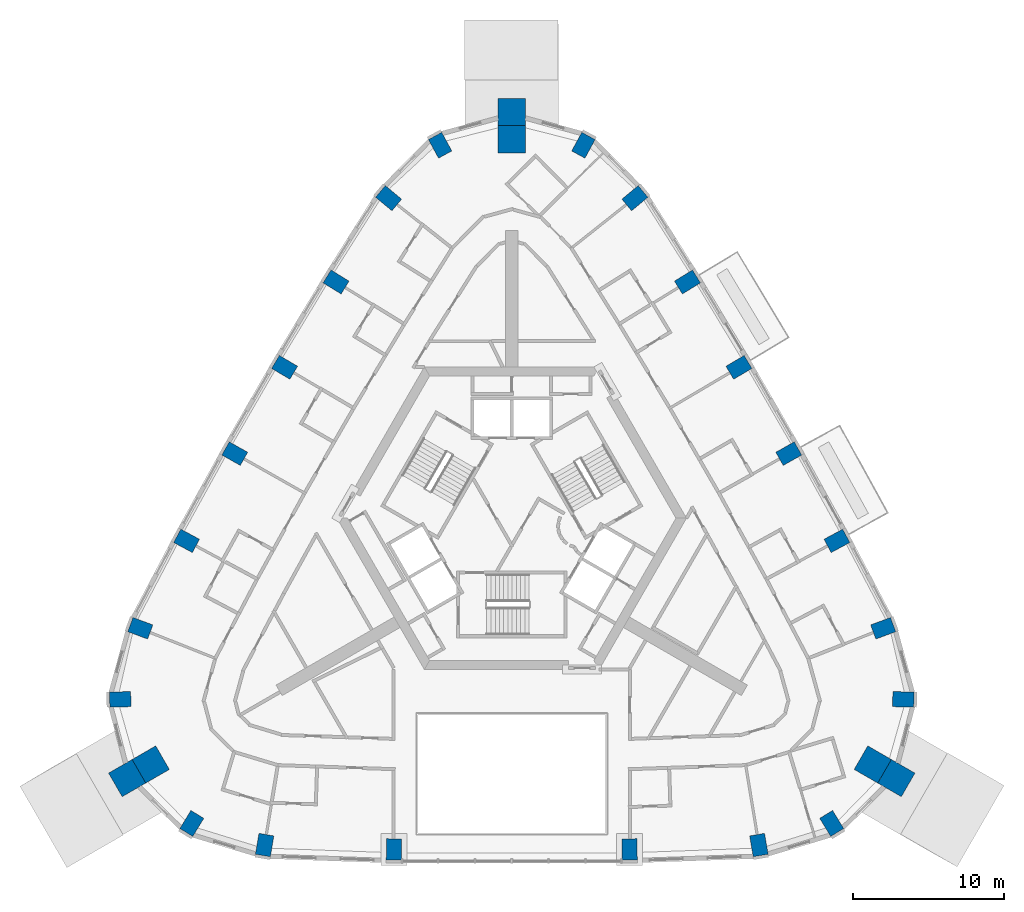
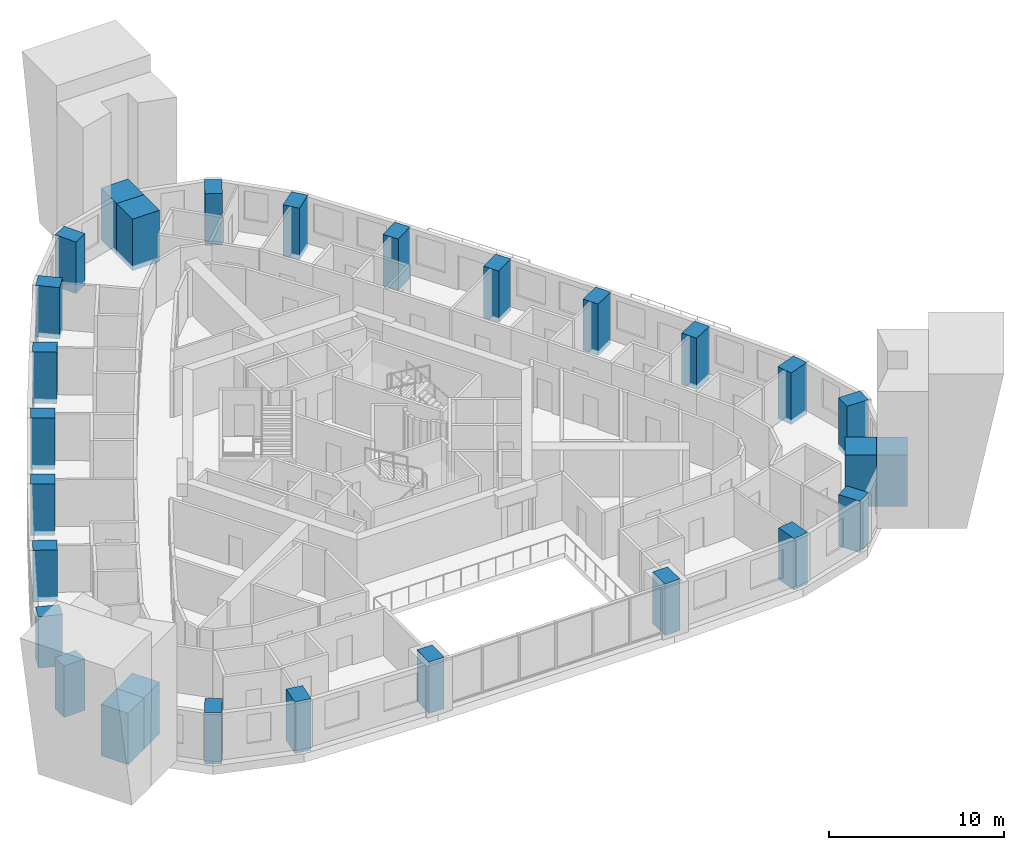
# One storey, part 1 of 14: 28 columns.
"""IFC4 building model written with IfcOpenShell, lengths in metres."""

from ifc_helpers import new_model, si_unit, direction, frame, origin, origin_2d, place, context, subcontext, project, spatial, rectangle, extrude, material, material_profile, profile_set, type_object, element, save


model = new_model("IFC4")

# Units and contexts
model_context = context("Model", 3, precision=1e-05, world=origin(), true_north=direction((0.0, 1.0)))
body_context = subcontext(model_context, "Body", "Model", "MODEL_VIEW")
ifc_project = project(units=[si_unit("LENGTHUNIT", "METRE"), si_unit("AREAUNIT", "SQUARE_METRE"), si_unit("VOLUMEUNIT", "CUBIC_METRE"), si_unit("PLANEANGLEUNIT", "RADIAN"), si_unit("MASSUNIT", "GRAM", prefix="KILO")], contexts=[model_context])

# Site, building, storey
site_placement = place(None, origin())
site = spatial("IfcSite", under=ifc_project, at=site_placement, CompositionType="ELEMENT")
building_placement = place(site_placement, origin())
building = spatial("IfcBuilding", under=site, at=building_placement, Name="Entoto Arch Interchange Tower", CompositionType="ELEMENT")
storey_placement = place(building_placement, frame((0.0, 0.0, 252.199951171875)))
storey = spatial("IfcBuildingStorey", under=building, at=storey_placement, Name="L57", CompositionType="ELEMENT", Elevation=252.199951171875)

# Columns
ifc_material_1 = material(Name="Concrete C40/50", Category="concrete")
ifc_material_profile_1 = material_profile(ifc_material_1, rectangle(XDim=1.0, YDim=1.39990234375, at=origin_2d()))
ifc_profile_set_1 = profile_set([ifc_material_profile_1], Name="Concrete C40/50")
column_type_1 = type_object("IfcColumnType", Name="Column RC 1000x1400 C40/50", PredefinedType="COLUMN", material=ifc_profile_set_1)
for number, where, z_axis, x_axis, name in (
    (1, (-16.330078125, -19.09912109375, -0.33984375), (0.0, 0.0, 1.0), (-0.985952343326, 0.167026874157, 0.0), "Column S01 L57"),
    (2, (-7.783935546875, -19.388916015625, -0.33984375), (0.0, 0.0, 1.0), (-0.999832723398, 0.018290030661, 0.0), "Column S02 L57"),
    (3, (7.783935546875, -19.388916015625, -0.33984375), (0.0, 0.0, 1.0), (0.999832723398, 0.018290030661, 0.0), "Column S03 L57"),
    (4, (16.330078125, -19.09912109375, -0.33984375), (0.0, 0.0, 1.0), (0.985952343326, 0.167026874157, 0.0), "Column S04 L57"),
    (5, (21.139892578125, -17.669921875, -0.33984375), (0.0, 0.0, 1.0), (0.853341581839, 0.521352227103, 0.0), "Column SE1 L57"),
    (6, (25.8720703125, -9.471923828125, -0.33984375), (0.0, 0.0, 1.0), (0.024833482072, 0.999691601529, 0.0), "Column SE3 L57"),
    (7, (24.544921875, -4.77490234375, -0.33984375), (0.0, 0.0, 1.0), (-0.346853804003, 0.937919206888, 0.0), "Column NE01 L57"),
    (8, (21.488037109375, 1.0009765625, -0.33984375), (0.0, 0.0, 1.0), (-0.473980634908, 0.880535267739, 0.0), "Column NE02 L57"),
    (9, (18.303955078125, 6.76611328125, -0.33984375), (0.0, 0.0, 1.0), (-0.491375053773, 0.870948079124, 0.0), "Column NE03 L57"),
    (10, (15.010986328125, 12.468017578125, -0.33984375), (0.0, 0.0, 1.0), (-0.508575635012, 0.861017318916, 0.0), "Column NE04 L57"),
    (11, (11.610107421875, 18.10888671875, -0.33984375), (0.0, 0.0, 1.0), (-0.525575593337, 0.850746904601, 0.0), "Column NE05 L57"),
    (12, (8.136962890625, 23.64501953125, -0.33984375), (0.0, 0.0, 1.0), (-0.638834957861, 0.769343809109, 0.0), "Column NE06 L57"),
    (13, (4.73291015625, 27.14306640625, -0.33984375), (0.0, 0.0, 1.0), (-0.87817506391, 0.478339374426, 0.0), "Column N1 L57"),
    (14, (-4.73291015625, 27.14306640625, -0.33984375), (0.0, 0.0, 1.0), (0.87817506391, 0.478339374426, 0.0), "Column N3 L57"),
    (15, (-8.136962890625, 23.64501953125, -0.33984375), (0.0, 0.0, 1.0), (0.638834957861, 0.769343809109, 0.0), "Column NW01 L57"),
    (16, (-11.610107421875, 18.10888671875, -0.33984375), (0.0, 0.0, 1.0), (0.525575593337, 0.850746904601, 0.0), "Column NW02 L57"),
    (17, (-15.010986328125, 12.468017578125, -0.33984375), (0.0, 0.0, 1.0), (0.508575635012, 0.861017318916, 0.0), "Column NW03 L57"),
    (18, (-18.303955078125, 6.76611328125, -0.33984375), (0.0, 0.0, 1.0), (0.491375053773, 0.870948079124, 0.0), "Column NW04 L57"),
    (19, (-21.488037109375, 1.0009765625, -0.33984375), (0.0, 0.0, 1.0), (0.473980634908, 0.880535267739, 0.0), "Column NW05 L57"),
    (20, (-24.544921875, -4.77490234375, -0.33984375), (0.0, 0.0, 1.0), (0.346853804003, 0.937919206888, 0.0), "Column NW06 L57"),
    (21, (-25.8720703125, -9.471923828125, -0.33984375), (0.0, 0.0, 1.0), (-0.024833482072, 0.999691601529, 0.0), "Column SW1 L57"),
    (22, (-21.139892578125, -17.669921875, -0.33984375), (0.0, 0.0, 1.0), (-0.853341581839, 0.521352227103, 0.0), "Column SW3 L57"),
):
    element("IfcColumn", number, at=place(storey_placement, frame(where, z_axis=z_axis, x_axis=x_axis)), inside=storey, type_object=column_type_1, Name=name, PredefinedType="COLUMN", context=body_context, shape_type="SweptSolid", body=[
        extrude(rectangle(XDim=1.0, YDim=1.39990234375, at=origin_2d()), origin(), (0.0, 0.0, 1.0), 3.599853515625),
    ])
ifc_material_2 = material(Name="Precast concrete C40/50", Category="concrete")
ifc_material_profile_2 = material_profile(ifc_material_2, rectangle(XDim=1.800048828125, YDim=1.800048828125, at=origin_2d()))
ifc_profile_set_2 = profile_set([ifc_material_profile_2], Name="Precast concrete C40/50")
column_type_2 = type_object("IfcColumnType", Name="Frame post RC 1800x1800 precast C40/50", PredefinedType="COLUMN", material=ifc_profile_set_2)
for number, where, z_axis, x_axis, name in (
    (23, (25.4150390625, -14.674072265625, -0.33984375), (0.0, 0.0, 1.0), (-0.866025403784, 0.5, 0.0), "Frame post SE L57"),
    (24, (0.0, 29.346923828125, -0.33984375), (0.0, 0.0, 1.0), (0.0, 1.0, 0.0), "Frame post N L57"),
    (25, (-25.4150390625, -14.674072265625, -0.33984375), (0.0, 0.0, 1.0), (0.866025403784, 0.5, 0.0), "Frame post SW L57"),
):
    element("IfcColumn", number, at=place(storey_placement, frame(where, z_axis=z_axis, x_axis=x_axis)), inside=storey, type_object=column_type_2, Name=name, PredefinedType="COLUMN", context=body_context, shape_type="SweptSolid", body=[
        extrude(rectangle(XDim=1.800048828125, YDim=1.800048828125, at=origin_2d()), origin(), (0.0, 0.0, 1.0), 3.599853515625),
    ])
ifc_material_profile_3 = material_profile(ifc_material_1, rectangle(XDim=1.800048828125, YDim=1.800048828125, at=origin_2d()))
ifc_profile_set_3 = profile_set([ifc_material_profile_3], Name="Concrete C40/50")
column_type_3 = type_object("IfcColumnType", Name="Mega column RC 1800x1800 C40/50", PredefinedType="COLUMN", material=ifc_profile_set_3)
for number, where, z_axis, x_axis, name in (
    (26, (23.85595703125, -13.77392578125, -0.33984375), (0.0, 0.0, 1.0), (-0.866025403784, 0.5, 0.0), "Corner mega column SE2 L57"),
    (27, (0.0, 27.547119140625, -0.33984375), (0.0, 0.0, 1.0), (0.0, 1.0, 0.0), "Corner mega column N2 L57"),
    (28, (-23.85595703125, -13.77392578125, -0.33984375), (0.0, 0.0, 1.0), (0.866025403784, 0.5, 0.0), "Corner mega column SW2 L57"),
):
    element("IfcColumn", number, at=place(storey_placement, frame(where, z_axis=z_axis, x_axis=x_axis)), inside=storey, type_object=column_type_3, Name=name, PredefinedType="COLUMN", context=body_context, shape_type="SweptSolid", body=[
        extrude(rectangle(XDim=1.800048828125, YDim=1.800048828125, at=origin_2d()), origin(), (0.0, 0.0, 1.0), 3.599853515625),
    ])

save(model, "model.ifc")
